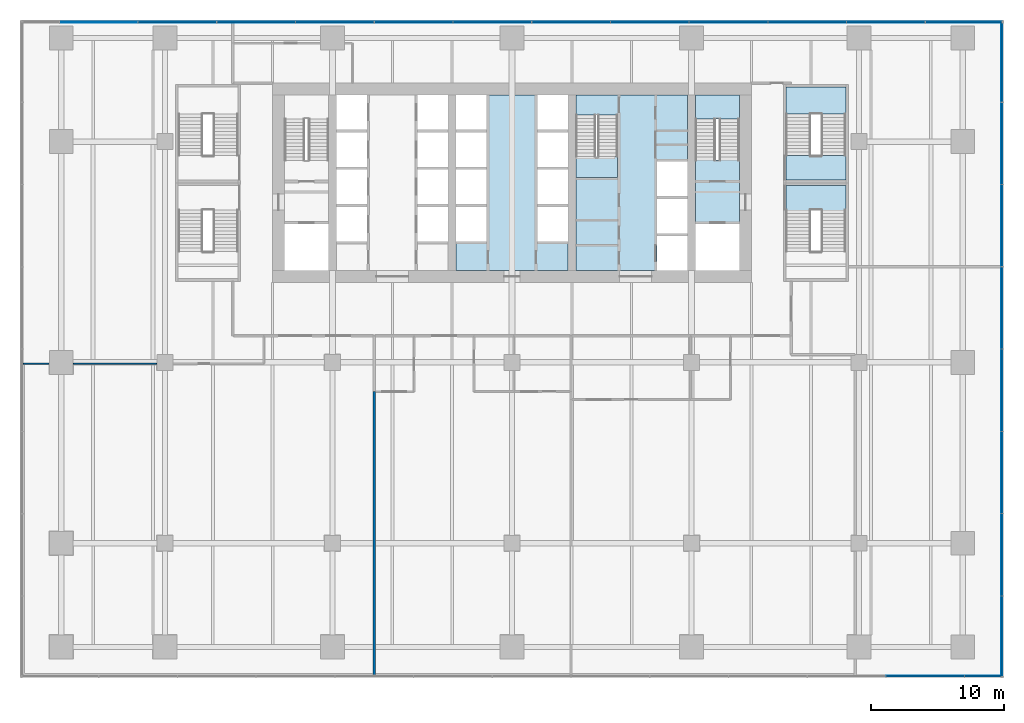
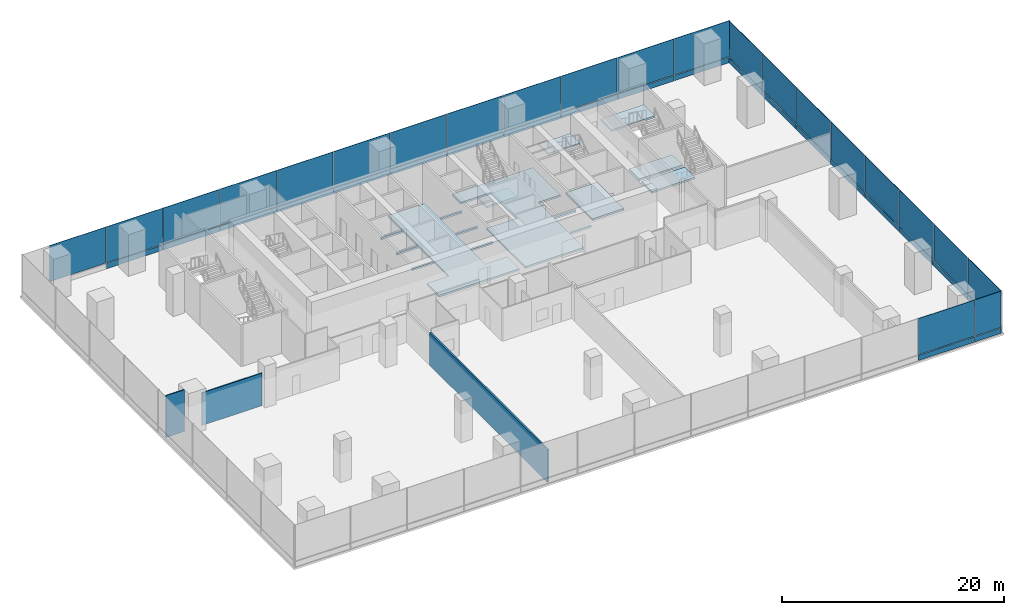
# One storey, part 18 of 28: 43 plates, 8 slabs, 3 walls, 6 elements without a shape of their own.
"""IFC4 building model written with IfcOpenShell, lengths in metres."""

from ifc_helpers import new_model, si_unit, direction, frame, frame_2d, origin, origin_2d, place, context, subcontext, project, spatial, polyline, rectangle, outline, extrude, material, layer, layer_set, type_object, element, aggregate, save


model = new_model("IFC4")

# Units and contexts
model_context = context("Model", 3, precision=1e-05, world=origin(), true_north=direction((0.0, 1.0)))
body_context = subcontext(model_context, "Body", "Model", "MODEL_VIEW")
ifc_project = project(units=[si_unit("LENGTHUNIT", "METRE"), si_unit("AREAUNIT", "SQUARE_METRE"), si_unit("VOLUMEUNIT", "CUBIC_METRE"), si_unit("PLANEANGLEUNIT", "RADIAN"), si_unit("MASSUNIT", "GRAM", prefix="KILO")], contexts=[model_context])

# Site, building, storey
site_placement = place(None, origin())
site = spatial("IfcSite", under=ifc_project, at=site_placement, CompositionType="ELEMENT")
building_placement = place(site_placement, origin())
building = spatial("IfcBuilding", under=site, at=building_placement, Name="Rattan Terrace Tower", CompositionType="ELEMENT")
storey_placement = place(building_placement, frame((0.0, 0.0, 17.39990234375)))
storey = spatial("IfcBuildingStorey", under=building, at=storey_placement, Name="L03", CompositionType="ELEMENT", Elevation=17.39990234375)

# Stair, slab
ifc_material_1 = material(Name="Concrete C40/50", Category="concrete")
stair_type_1 = type_object("IfcStairType", Name="Core exit stair 1500", PredefinedType="HALF_TURN_STAIR", material=ifc_material_1)
stair_1_placement = place(storey_placement, origin())
stair_1 = element("IfcStair", 1, at=stair_1_placement, inside=storey, type_object=stair_type_1, Name="L03 exit stair 2", PredefinedType="HALF_TURN_STAIR")
ifc_material_2 = material(Name="Concrete C40/50", Category="concrete")
ifc_layer_1 = layer(ifc_material_2, 0.199951171875)
ifc_layer_set_1 = layer_set([ifc_layer_1], Name="Core exit stair landing")
slab_type_1 = type_object("IfcSlabType", Name="Core exit stair landing", PredefinedType="LANDING", material=ifc_layer_set_1)
slab_1_placement = place(storey_placement, frame((0.0, 0.0, 2.2001953125)))
slab_1 = element("IfcSlab", 2, at=slab_1_placement, type_object=slab_type_1, Name="S2 landing 1", PredefinedType="LANDING", context=body_context, shape_type="SweptSolid", body=[
    extrude(outline(polyline([(17.10009765625, 4.820068359375), (17.10009765625, 6.60009765625), (13.800048828125, 6.60009765625), (13.800048828125, 4.820068359375), (17.10009765625, 4.820068359375)])), origin(), (0.0, 0.0, 1.0), 0.199951171875),
])
aggregate(stair_1, [slab_1])

stair_2_placement = place(storey_placement, origin())
stair_2 = element("IfcStair", 3, at=stair_2_placement, inside=storey, type_object=stair_type_1, Name="L03 exit stair 3", PredefinedType="HALF_TURN_STAIR")
slab_2_placement = place(storey_placement, frame((0.0, 0.0, 2.2001953125)))
slab_2 = element("IfcSlab", 4, at=slab_2_placement, type_object=slab_type_1, Name="S3 landing 1", PredefinedType="LANDING", context=body_context, shape_type="SweptSolid", body=[
    extrude(outline(polyline([(4.800048828125, 1.97998046875), (4.800048828125, 0.39990234375), (7.949951171875, 0.39990234375), (7.949951171875, 1.97998046875), (4.800048828125, 1.97998046875)])), origin(), (0.0, 0.0, 1.0), 0.199951171875),
])
aggregate(stair_2, [slab_2])

ifc_material_3 = material(Name="Concrete C40/50", Category="concrete")
stair_type_2 = type_object("IfcStairType", Name="Core exit stair 1850", PredefinedType="HALF_TURN_STAIR", material=ifc_material_3)
stair_3_placement = place(storey_placement, origin())
stair_3 = element("IfcStair", 5, at=stair_3_placement, inside=storey, type_object=stair_type_2, Name="L03 exit stair 7", PredefinedType="HALF_TURN_STAIR")
slab_3_placement = place(storey_placement, frame((0.0, 0.0, 2.2001953125)))
slab_3 = element("IfcSlab", 6, at=slab_3_placement, type_object=slab_type_1, Name="S7 landing 1", PredefinedType="LANDING", context=body_context, shape_type="SweptSolid", body=[
    extrude(outline(polyline([(25.10009765625, 5.169921875), (25.10009765625, 7.199951171875), (20.60009765625, 7.199951171875), (20.60009765625, 5.169921875), (25.10009765625, 5.169921875)])), origin(), (0.0, 0.0, 1.0), 0.199951171875),
])
aggregate(stair_3, [slab_3])

# Slabs
ifc_material_4 = material(Name="Concrete C35/45", Category="concrete")
ifc_layer_2 = layer(ifc_material_4, 0.199951171875)
ifc_layer_set_2 = layer_set([ifc_layer_2], Name="Frame composite floor slab 200")
slab_type_2 = type_object("IfcSlabType", Name="Frame composite floor slab 200", PredefinedType="FLOOR", material=ifc_layer_set_2)
slab_4_placement = place(storey_placement, frame((0.0, 0.0, -0.199951171875)))
element("IfcSlab", 7, at=slab_4_placement, inside=storey, type_object=slab_type_2, Name="Floor slab", PredefinedType="FLOOR", context=body_context, shape_type="SweptSolid", body=[
    extrude(outline(polyline([(-4.199951171875, -6.60009765625), (4.199951171875, -6.60009765625), (4.199951171875, -4.39990234375), (1.89990234375, -4.39990234375), (1.89990234375, -1.800048828125), (4.199951171875, -1.800048828125), (4.199951171875, -1.60009765625), (1.89990234375, -1.60009765625), (1.89990234375, 1.0), (4.199951171875, 1.0), (4.199951171875, 1.199951171875), (1.89990234375, 1.199951171875), (1.89990234375, 3.800048828125), (4.199951171875, 3.800048828125), (4.199951171875, 4.0), (1.89990234375, 4.0), (1.89990234375, 6.60009765625), (-1.89990234375, 6.60009765625), (-1.89990234375, 4.0), (-4.199951171875, 4.0), (-4.199951171875, 3.800048828125), (-1.89990234375, 3.800048828125), (-1.89990234375, 1.199951171875), (-4.199951171875, 1.199951171875), (-4.199951171875, 1.0), (-1.89990234375, 1.0), (-1.89990234375, -1.60009765625), (-4.199951171875, -1.60009765625), (-4.199951171875, -1.800048828125), (-1.89990234375, -1.800048828125), (-1.89990234375, -4.39990234375), (-4.199951171875, -4.39990234375), (-4.199951171875, -6.60009765625)])), origin(), (0.0, 0.0, 1.0), 0.199951171875),
])
slab_5_placement = place(storey_placement, frame((0.0, 0.0, -0.199951171875)))
element("IfcSlab", 8, at=slab_5_placement, inside=storey, type_object=slab_type_2, Name="Floor slab", PredefinedType="FLOOR", context=body_context, shape_type="SweptSolid", body=[
    extrude(outline(polyline([(4.800048828125, -6.60009765625), (10.89990234375, -6.60009765625), (10.89990234375, -4.0), (13.199951171875, -4.0), (13.199951171875, -3.800048828125), (10.89990234375, -3.800048828125), (10.89990234375, -1.199951171875), (13.199951171875, -1.199951171875), (13.199951171875, -1.0), (10.89990234375, -1.0), (10.89990234375, 1.60009765625), (13.199951171875, 1.60009765625), (13.199951171875, 6.60009765625), (4.800048828125, 6.60009765625), (4.800048828125, 5.090087890625), (7.949951171875, 5.090087890625), (7.949951171875, 0.39990234375), (4.800048828125, 0.39990234375), (4.800048828125, -6.60009765625)])), origin(), (0.0, 0.0, 1.0), 0.199951171875),
])
slab_6_placement = place(storey_placement, frame((0.0, 0.0, -0.199951171875)))
element("IfcSlab", 9, at=slab_6_placement, inside=storey, type_object=slab_type_2, Name="Floor slab", PredefinedType="FLOOR", context=body_context, shape_type="SweptSolid", body=[
    extrude(outline(polyline([(17.10009765625, -3.10009765625), (17.10009765625, 1.7099609375), (13.800048828125, 1.7099609375), (13.800048828125, -3.10009765625), (17.10009765625, -3.10009765625)])), origin(), (0.0, 0.0, 1.0), 0.199951171875),
])
slab_7_placement = place(storey_placement, frame((0.0, 0.0, -0.199951171875)))
element("IfcSlab", 10, at=slab_7_placement, inside=storey, type_object=slab_type_2, Name="Floor slab", PredefinedType="FLOOR", context=body_context, shape_type="SweptSolid", body=[
    extrude(outline(polyline([(20.60009765625, -0.199951171875), (20.60009765625, -2.06005859375), (25.10009765625, -2.06005859375), (25.10009765625, -0.199951171875), (20.60009765625, -0.199951171875)])), origin(), (0.0, 0.0, 1.0), 0.199951171875),
])
slab_8_placement = place(storey_placement, frame((0.0, 0.0, -0.199951171875)))
element("IfcSlab", 11, at=slab_8_placement, inside=storey, type_object=slab_type_2, Name="Floor slab", PredefinedType="FLOOR", context=body_context, shape_type="SweptSolid", body=[
    extrude(outline(polyline([(20.60009765625, 0.199951171875), (25.10009765625, 0.199951171875), (25.10009765625, 2.06005859375), (20.60009765625, 2.06005859375), (20.60009765625, 0.199951171875)])), origin(), (0.0, 0.0, 1.0), 0.199951171875),
])

# Curtain wall, plates
ifc_material_5 = material(Name="Aluminium and glass", Category="aluminium")
ifc_layer_3 = layer(ifc_material_5, 0.1201171875)
ifc_layer_set_3 = layer_set([ifc_layer_3], Name="Station Storefront Curtain Wall")
curtain_wall_type = type_object("IfcCurtainWallType", Name="Station Storefront Curtain Wall", PredefinedType="NOTDEFINED", material=ifc_layer_set_3)
curtain_wall_1_placement = place(storey_placement, origin())
curtain_wall_1 = element("IfcCurtainWall", 12, at=curtain_wall_1_placement, inside=storey, type_object=curtain_wall_type, Name="Storefront curtain wall L03-1", PredefinedType="NOTDEFINED")
ifc_material_6 = material(Name="Granite bulkhead panel", Category="masonry")
ifc_layer_4 = layer(ifc_material_6, 0.110107421875)
ifc_layer_set_4 = layer_set([ifc_layer_4], Name="Storefront CW Stone Bulkhead Panel")
plate_type_1 = type_object("IfcPlateType", Name="Storefront CW Stone Bulkhead Panel", PredefinedType="CURTAIN_PANEL", material=ifc_layer_set_4)
plate_1_placement = place(storey_placement, frame((36.830078125, -34.08837890625, 0.0), z_axis=(0.0, 0.0, 1.0), x_axis=(0.0, 1.0, 0.0)))
plate_1 = element("IfcPlate", 13, at=plate_1_placement, type_object=plate_type_1, Name="Panel cwl-L03-001.1.1", PredefinedType="CURTAIN_PANEL", context=body_context, shape_type="SweptSolid", body=[
    extrude(rectangle(XDim=6.0029296875, YDim=0.110107421875, at=origin_2d()), origin(), (0.0, 0.0, 1.0), 0.574951171875),
])
plate_2_placement = place(storey_placement, frame((36.830078125, -27.968017578125, 0.0), z_axis=(0.0, 0.0, 1.0), x_axis=(0.0, 1.0, 0.0)))
plate_2 = element("IfcPlate", 14, at=plate_2_placement, type_object=plate_type_1, Name="Panel cwl-L03-001.2.1", PredefinedType="CURTAIN_PANEL", context=body_context, shape_type="SweptSolid", body=[
    extrude(rectangle(XDim=6.137939453125, YDim=0.110107421875, at=origin_2d()), origin(), (0.0, 0.0, 1.0), 0.574951171875),
])
plate_3_placement = place(storey_placement, frame((36.830078125, -21.780029296875, 0.0), z_axis=(0.0, 0.0, 1.0), x_axis=(0.0, 1.0, 0.0)))
plate_3 = element("IfcPlate", 15, at=plate_3_placement, type_object=plate_type_1, Name="Panel cwl-L03-001.3.1", PredefinedType="CURTAIN_PANEL", context=body_context, shape_type="SweptSolid", body=[
    extrude(rectangle(XDim=6.137939453125, YDim=0.110107421875, at=origin_2d()), origin(), (0.0, 0.0, 1.0), 0.574951171875),
])
plate_4_placement = place(storey_placement, frame((36.830078125, -15.592041015625, 0.0), z_axis=(0.0, 0.0, 1.0), x_axis=(0.0, 1.0, 0.0)))
plate_4 = element("IfcPlate", 16, at=plate_4_placement, type_object=plate_type_1, Name="Panel cwl-L03-001.4.1", PredefinedType="CURTAIN_PANEL", context=body_context, shape_type="SweptSolid", body=[
    extrude(rectangle(XDim=6.137939453125, YDim=0.110107421875, at=origin_2d()), origin(), (0.0, 0.0, 1.0), 0.574951171875),
])
plate_5_placement = place(storey_placement, frame((36.830078125, -9.404052734375, 0.0), z_axis=(0.0, 0.0, 1.0), x_axis=(0.0, 1.0, 0.0)))
plate_5 = element("IfcPlate", 17, at=plate_5_placement, type_object=plate_type_1, Name="Panel cwl-L03-001.5.1", PredefinedType="CURTAIN_PANEL", context=body_context, shape_type="SweptSolid", body=[
    extrude(rectangle(XDim=6.137939453125, YDim=0.110107421875, at=origin_2d()), origin(), (0.0, 0.0, 1.0), 0.574951171875),
])
plate_6_placement = place(storey_placement, frame((36.830078125, -3.216064453125, 0.0), z_axis=(0.0, 0.0, 1.0), x_axis=(0.0, 1.0, 0.0)))
plate_6 = element("IfcPlate", 18, at=plate_6_placement, type_object=plate_type_1, Name="Panel cwl-L03-001.6.1", PredefinedType="CURTAIN_PANEL", context=body_context, shape_type="SweptSolid", body=[
    extrude(rectangle(XDim=6.137939453125, YDim=0.110107421875, at=origin_2d()), origin(), (0.0, 0.0, 1.0), 0.574951171875),
])
plate_7_placement = place(storey_placement, frame((36.830078125, 2.971923828125, 0.0), z_axis=(0.0, 0.0, 1.0), x_axis=(0.0, 1.0, 0.0)))
plate_7 = element("IfcPlate", 19, at=plate_7_placement, type_object=plate_type_1, Name="Panel cwl-L03-001.7.1", PredefinedType="CURTAIN_PANEL", context=body_context, shape_type="SweptSolid", body=[
    extrude(rectangle(XDim=6.137939453125, YDim=0.110107421875, at=origin_2d()), origin(), (0.0, 0.0, 1.0), 0.574951171875),
])
plate_8_placement = place(storey_placement, frame((36.830078125, 9.055419921875, 0.0), z_axis=(0.0, 0.0, 1.0), x_axis=(0.0, 1.0, 0.0)))
plate_8 = element("IfcPlate", 20, at=plate_8_placement, type_object=plate_type_1, Name="Panel cwl-L03-001.8.1", PredefinedType="CURTAIN_PANEL", context=body_context, shape_type="SweptSolid", body=[
    extrude(rectangle(XDim=5.928955078125, YDim=0.110107421875, at=origin_2d()), origin(), (0.0, 0.0, 1.0), 0.574951171875),
])

curtain_wall_2_placement = place(storey_placement, origin())
curtain_wall_2 = element("IfcCurtainWall", 21, at=curtain_wall_2_placement, inside=storey, type_object=curtain_wall_type, Name="Storefront curtain wall L03-2", PredefinedType="NOTDEFINED")
plate_9_placement = place(storey_placement, frame((33.972412109375, 12.080078125, 0.0), z_axis=(0.0, 0.0, 1.0), x_axis=(-1.0, 0.0, 0.0)))
plate_9 = element("IfcPlate", 22, at=plate_9_placement, type_object=plate_type_1, Name="Panel cwl-L03-002.1.1", PredefinedType="CURTAIN_PANEL", context=body_context, shape_type="SweptSolid", body=[
    extrude(rectangle(XDim=5.735107421875, YDim=0.110107421875, at=origin_2d()), origin(), (0.0, 0.0, 1.0), 0.574951171875),
])
plate_10_placement = place(storey_placement, frame((28.1201171875, 12.080078125, 0.0), z_axis=(0.0, 0.0, 1.0), x_axis=(-1.0, 0.0, 0.0)))
plate_10 = element("IfcPlate", 23, at=plate_10_placement, type_object=plate_type_1, Name="Panel cwl-L03-002.2.1", PredefinedType="CURTAIN_PANEL", context=body_context, shape_type="SweptSolid", body=[
    extrude(rectangle(XDim=5.8701171875, YDim=0.110107421875, at=origin_2d()), origin(), (0.0, 0.0, 1.0), 0.574951171875),
])
plate_11_placement = place(storey_placement, frame((22.199951171875, 12.080078125, 0.0), z_axis=(0.0, 0.0, 1.0), x_axis=(-1.0, 0.0, 0.0)))
plate_11 = element("IfcPlate", 24, at=plate_11_placement, type_object=plate_type_1, Name="Panel cwl-L03-002.3.1", PredefinedType="CURTAIN_PANEL", context=body_context, shape_type="SweptSolid", body=[
    extrude(rectangle(XDim=5.8701171875, YDim=0.110107421875, at=origin_2d()), origin(), (0.0, 0.0, 1.0), 0.574951171875),
])
plate_12_placement = place(storey_placement, frame((16.280029296875, 12.080078125, 0.0), z_axis=(0.0, 0.0, 1.0), x_axis=(-1.0, 0.0, 0.0)))
plate_12 = element("IfcPlate", 25, at=plate_12_placement, type_object=plate_type_1, Name="Panel cwl-L03-002.4.1", PredefinedType="CURTAIN_PANEL", context=body_context, shape_type="SweptSolid", body=[
    extrude(rectangle(XDim=5.8701171875, YDim=0.110107421875, at=origin_2d()), origin(), (0.0, 0.0, 1.0), 0.574951171875),
])
plate_13_placement = place(storey_placement, frame((10.360107421875, 12.080078125, 0.0), z_axis=(0.0, 0.0, 1.0), x_axis=(-1.0, 0.0, 0.0)))
plate_13 = element("IfcPlate", 26, at=plate_13_placement, type_object=plate_type_1, Name="Panel cwl-L03-002.5.1", PredefinedType="CURTAIN_PANEL", context=body_context, shape_type="SweptSolid", body=[
    extrude(rectangle(XDim=5.8701171875, YDim=0.110107421875, at=origin_2d()), origin(), (0.0, 0.0, 1.0), 0.574951171875),
])
plate_14_placement = place(storey_placement, frame((4.43994140625, 12.080078125, 0.0), z_axis=(0.0, 0.0, 1.0), x_axis=(-1.0, 0.0, 0.0)))
plate_14 = element("IfcPlate", 27, at=plate_14_placement, type_object=plate_type_1, Name="Panel cwl-L03-002.6.1", PredefinedType="CURTAIN_PANEL", context=body_context, shape_type="SweptSolid", body=[
    extrude(rectangle(XDim=5.8701171875, YDim=0.110107421875, at=origin_2d()), origin(), (0.0, 0.0, 1.0), 0.574951171875),
])
plate_15_placement = place(storey_placement, frame((-1.47998046875, 12.080078125, 0.0), z_axis=(0.0, 0.0, 1.0), x_axis=(-1.0, 0.0, 0.0)))
plate_15 = element("IfcPlate", 28, at=plate_15_placement, type_object=plate_type_1, Name="Panel cwl-L03-002.7.1", PredefinedType="CURTAIN_PANEL", context=body_context, shape_type="SweptSolid", body=[
    extrude(rectangle(XDim=5.8701171875, YDim=0.110107421875, at=origin_2d()), origin(), (0.0, 0.0, 1.0), 0.574951171875),
])
plate_16_placement = place(storey_placement, frame((-7.39990234375, 12.080078125, 0.0), z_axis=(0.0, 0.0, 1.0), x_axis=(-1.0, 0.0, 0.0)))
plate_16 = element("IfcPlate", 29, at=plate_16_placement, type_object=plate_type_1, Name="Panel cwl-L03-002.8.1", PredefinedType="CURTAIN_PANEL", context=body_context, shape_type="SweptSolid", body=[
    extrude(rectangle(XDim=5.8701171875, YDim=0.110107421875, at=origin_2d()), origin(), (0.0, 0.0, 1.0), 0.574951171875),
])
plate_17_placement = place(storey_placement, frame((-13.320068359375, 12.080078125, 0.0), z_axis=(0.0, 0.0, 1.0), x_axis=(-1.0, 0.0, 0.0)))
plate_17 = element("IfcPlate", 30, at=plate_17_placement, type_object=plate_type_1, Name="Panel cwl-L03-002.9.1", PredefinedType="CURTAIN_PANEL", context=body_context, shape_type="SweptSolid", body=[
    extrude(rectangle(XDim=5.8701171875, YDim=0.110107421875, at=origin_2d()), origin(), (0.0, 0.0, 1.0), 0.574951171875),
])
plate_18_placement = place(storey_placement, frame((-19.239990234375, 12.080078125, 0.0), z_axis=(0.0, 0.0, 1.0), x_axis=(-1.0, 0.0, 0.0)))
plate_18 = element("IfcPlate", 31, at=plate_18_placement, type_object=plate_type_1, Name="Panel cwl-L03-002.10.1", PredefinedType="CURTAIN_PANEL", context=body_context, shape_type="SweptSolid", body=[
    extrude(rectangle(XDim=5.8701171875, YDim=0.110107421875, at=origin_2d()), origin(), (0.0, 0.0, 1.0), 0.574951171875),
])
plate_19_placement = place(storey_placement, frame((-25.159912109375, 12.080078125, 0.0), z_axis=(0.0, 0.0, 1.0), x_axis=(-1.0, 0.0, 0.0)))
plate_19 = element("IfcPlate", 32, at=plate_19_placement, type_object=plate_type_1, Name="Panel cwl-L03-002.11.1", PredefinedType="CURTAIN_PANEL", context=body_context, shape_type="SweptSolid", body=[
    extrude(rectangle(XDim=5.8701171875, YDim=0.110107421875, at=origin_2d()), origin(), (0.0, 0.0, 1.0), 0.574951171875),
])

curtain_wall_3_placement = place(storey_placement, origin())
curtain_wall_3 = element("IfcCurtainWall", 33, at=curtain_wall_3_placement, inside=storey, type_object=curtain_wall_type, Name="Storefront curtain wall L03-4", PredefinedType="NOTDEFINED")
plate_20_placement = place(storey_placement, frame((31.080078125, -37.080078125, 0.0), z_axis=(0.0, 0.0, 1.0), x_axis=(1.0, 0.0, 0.0)))
plate_20 = element("IfcPlate", 34, at=plate_20_placement, type_object=plate_type_1, Name="Panel cwl-L03-004.12.1", PredefinedType="CURTAIN_PANEL", context=body_context, shape_type="SweptSolid", body=[
    extrude(rectangle(XDim=5.8701171875, YDim=0.110107421875, at=origin_2d()), origin(), (0.0, 0.0, 1.0), 0.574951171875),
])
plate_21_placement = place(storey_placement, frame((35.41748046875, -37.080078125, 0.0), z_axis=(0.0, 0.0, 1.0), x_axis=(1.0, 0.0, 0.0)))
plate_21 = element("IfcPlate", 35, at=plate_21_placement, type_object=plate_type_1, Name="Panel cwl-L03-004.13.1", PredefinedType="CURTAIN_PANEL", context=body_context, shape_type="SweptSolid", body=[
    extrude(rectangle(XDim=2.705078125, YDim=0.110107421875, at=origin_2d()), origin(), (0.0, 0.0, 1.0), 0.574951171875),
])

# Plate
ifc_material_7 = material(Name="Clear toughened glass", Category="glass")
ifc_layer_5 = layer(ifc_material_7, 0.0439453125)
ifc_layer_set_5 = layer_set([ifc_layer_5], Name="Storefront CW Vision Panel")
plate_type_2 = type_object("IfcPlateType", Name="Storefront CW Vision Panel", PredefinedType="CURTAIN_PANEL", material=ifc_layer_set_5)
plate_22_placement = place(storey_placement, frame((36.830078125, -34.08837890625, 0.625), z_axis=(0.0, 0.0, 1.0), x_axis=(0.0, 1.0, 0.0)))
plate_22 = element("IfcPlate", 36, at=plate_22_placement, type_object=plate_type_2, Name="Panel cwl-L03-001.1.2", PredefinedType="CURTAIN_PANEL", context=body_context, shape_type="SweptSolid", body=[
    extrude(rectangle(XDim=6.0029296875, YDim=0.0439453125, at=origin_2d()), origin(), (0.0, 0.0, 1.0), 3.97509765625),
])

plate_23_placement = place(storey_placement, frame((36.830078125, -27.968017578125, 0.625), z_axis=(0.0, 0.0, 1.0), x_axis=(0.0, 1.0, 0.0)))
plate_23 = element("IfcPlate", 37, at=plate_23_placement, type_object=plate_type_2, Name="Panel cwl-L03-001.2.2", PredefinedType="CURTAIN_PANEL", context=body_context, shape_type="SweptSolid", body=[
    extrude(rectangle(XDim=6.137939453125, YDim=0.0439453125, at=origin_2d()), origin(), (0.0, 0.0, 1.0), 3.97509765625),
])

plate_24_placement = place(storey_placement, frame((36.830078125, -21.780029296875, 0.625), z_axis=(0.0, 0.0, 1.0), x_axis=(0.0, 1.0, 0.0)))
plate_24 = element("IfcPlate", 38, at=plate_24_placement, type_object=plate_type_2, Name="Panel cwl-L03-001.3.2", PredefinedType="CURTAIN_PANEL", context=body_context, shape_type="SweptSolid", body=[
    extrude(rectangle(XDim=6.137939453125, YDim=0.0439453125, at=origin_2d()), origin(), (0.0, 0.0, 1.0), 3.97509765625),
])

plate_25_placement = place(storey_placement, frame((36.830078125, -15.592041015625, 0.625), z_axis=(0.0, 0.0, 1.0), x_axis=(0.0, 1.0, 0.0)))
plate_25 = element("IfcPlate", 39, at=plate_25_placement, type_object=plate_type_2, Name="Panel cwl-L03-001.4.2", PredefinedType="CURTAIN_PANEL", context=body_context, shape_type="SweptSolid", body=[
    extrude(rectangle(XDim=6.137939453125, YDim=0.0439453125, at=origin_2d()), origin(), (0.0, 0.0, 1.0), 3.97509765625),
])

plate_26_placement = place(storey_placement, frame((36.830078125, -9.404052734375, 0.625), z_axis=(0.0, 0.0, 1.0), x_axis=(0.0, 1.0, 0.0)))
plate_26 = element("IfcPlate", 40, at=plate_26_placement, type_object=plate_type_2, Name="Panel cwl-L03-001.5.2", PredefinedType="CURTAIN_PANEL", context=body_context, shape_type="SweptSolid", body=[
    extrude(rectangle(XDim=6.137939453125, YDim=0.0439453125, at=origin_2d()), origin(), (0.0, 0.0, 1.0), 3.97509765625),
])

plate_27_placement = place(storey_placement, frame((36.830078125, -3.216064453125, 0.625), z_axis=(0.0, 0.0, 1.0), x_axis=(0.0, 1.0, 0.0)))
plate_27 = element("IfcPlate", 41, at=plate_27_placement, type_object=plate_type_2, Name="Panel cwl-L03-001.6.2", PredefinedType="CURTAIN_PANEL", context=body_context, shape_type="SweptSolid", body=[
    extrude(rectangle(XDim=6.137939453125, YDim=0.0439453125, at=origin_2d()), origin(), (0.0, 0.0, 1.0), 3.97509765625),
])

plate_28_placement = place(storey_placement, frame((36.830078125, 2.971923828125, 0.625), z_axis=(0.0, 0.0, 1.0), x_axis=(0.0, 1.0, 0.0)))
plate_28 = element("IfcPlate", 42, at=plate_28_placement, type_object=plate_type_2, Name="Panel cwl-L03-001.7.2", PredefinedType="CURTAIN_PANEL", context=body_context, shape_type="SweptSolid", body=[
    extrude(rectangle(XDim=6.137939453125, YDim=0.0439453125, at=origin_2d()), origin(), (0.0, 0.0, 1.0), 3.97509765625),
])

plate_29_placement = place(storey_placement, frame((36.830078125, 9.055419921875, 0.625), z_axis=(0.0, 0.0, 1.0), x_axis=(0.0, 1.0, 0.0)))
plate_29 = element("IfcPlate", 43, at=plate_29_placement, type_object=plate_type_2, Name="Panel cwl-L03-001.8.2", PredefinedType="CURTAIN_PANEL", context=body_context, shape_type="SweptSolid", body=[
    extrude(rectangle(XDim=5.928955078125, YDim=0.0439453125, at=origin_2d()), origin(), (0.0, 0.0, 1.0), 3.97509765625),
])

aggregate(curtain_wall_1, [plate_1, plate_22, plate_2, plate_23, plate_3, plate_24, plate_4, plate_25, plate_5, plate_26, plate_6, plate_27, plate_7, plate_28, plate_8, plate_29])

plate_30_placement = place(storey_placement, frame((33.972412109375, 12.080078125, 0.625), z_axis=(0.0, 0.0, 1.0), x_axis=(-1.0, 0.0, 0.0)))
plate_30 = element("IfcPlate", 44, at=plate_30_placement, type_object=plate_type_2, Name="Panel cwl-L03-002.1.2", PredefinedType="CURTAIN_PANEL", context=body_context, shape_type="SweptSolid", body=[
    extrude(rectangle(XDim=5.735107421875, YDim=0.0439453125, at=origin_2d()), origin(), (0.0, 0.0, 1.0), 3.97509765625),
])

plate_31_placement = place(storey_placement, frame((28.1201171875, 12.080078125, 0.625), z_axis=(0.0, 0.0, 1.0), x_axis=(-1.0, 0.0, 0.0)))
plate_31 = element("IfcPlate", 45, at=plate_31_placement, type_object=plate_type_2, Name="Panel cwl-L03-002.2.2", PredefinedType="CURTAIN_PANEL", context=body_context, shape_type="SweptSolid", body=[
    extrude(rectangle(XDim=5.8701171875, YDim=0.0439453125, at=origin_2d()), origin(), (0.0, 0.0, 1.0), 3.97509765625),
])

plate_32_placement = place(storey_placement, frame((22.199951171875, 12.080078125, 0.625), z_axis=(0.0, 0.0, 1.0), x_axis=(-1.0, 0.0, 0.0)))
plate_32 = element("IfcPlate", 46, at=plate_32_placement, type_object=plate_type_2, Name="Panel cwl-L03-002.3.2", PredefinedType="CURTAIN_PANEL", context=body_context, shape_type="SweptSolid", body=[
    extrude(rectangle(XDim=5.8701171875, YDim=0.0439453125, at=origin_2d()), origin(), (0.0, 0.0, 1.0), 3.97509765625),
])

plate_33_placement = place(storey_placement, frame((16.280029296875, 12.080078125, 0.625), z_axis=(0.0, 0.0, 1.0), x_axis=(-1.0, 0.0, 0.0)))
plate_33 = element("IfcPlate", 47, at=plate_33_placement, type_object=plate_type_2, Name="Panel cwl-L03-002.4.2", PredefinedType="CURTAIN_PANEL", context=body_context, shape_type="SweptSolid", body=[
    extrude(rectangle(XDim=5.8701171875, YDim=0.0439453125, at=origin_2d()), origin(), (0.0, 0.0, 1.0), 3.97509765625),
])

plate_34_placement = place(storey_placement, frame((10.360107421875, 12.080078125, 0.625), z_axis=(0.0, 0.0, 1.0), x_axis=(-1.0, 0.0, 0.0)))
plate_34 = element("IfcPlate", 48, at=plate_34_placement, type_object=plate_type_2, Name="Panel cwl-L03-002.5.2", PredefinedType="CURTAIN_PANEL", context=body_context, shape_type="SweptSolid", body=[
    extrude(rectangle(XDim=5.8701171875, YDim=0.0439453125, at=origin_2d()), origin(), (0.0, 0.0, 1.0), 3.97509765625),
])

plate_35_placement = place(storey_placement, frame((4.43994140625, 12.080078125, 0.625), z_axis=(0.0, 0.0, 1.0), x_axis=(-1.0, 0.0, 0.0)))
plate_35 = element("IfcPlate", 49, at=plate_35_placement, type_object=plate_type_2, Name="Panel cwl-L03-002.6.2", PredefinedType="CURTAIN_PANEL", context=body_context, shape_type="SweptSolid", body=[
    extrude(rectangle(XDim=5.8701171875, YDim=0.0439453125, at=origin_2d()), origin(), (0.0, 0.0, 1.0), 3.97509765625),
])

plate_36_placement = place(storey_placement, frame((-1.47998046875, 12.080078125, 0.625), z_axis=(0.0, 0.0, 1.0), x_axis=(-1.0, 0.0, 0.0)))
plate_36 = element("IfcPlate", 50, at=plate_36_placement, type_object=plate_type_2, Name="Panel cwl-L03-002.7.2", PredefinedType="CURTAIN_PANEL", context=body_context, shape_type="SweptSolid", body=[
    extrude(rectangle(XDim=5.8701171875, YDim=0.0439453125, at=origin_2d()), origin(), (0.0, 0.0, 1.0), 3.97509765625),
])

plate_37_placement = place(storey_placement, frame((-7.39990234375, 12.080078125, 0.625), z_axis=(0.0, 0.0, 1.0), x_axis=(-1.0, 0.0, 0.0)))
plate_37 = element("IfcPlate", 51, at=plate_37_placement, type_object=plate_type_2, Name="Panel cwl-L03-002.8.2", PredefinedType="CURTAIN_PANEL", context=body_context, shape_type="SweptSolid", body=[
    extrude(rectangle(XDim=5.8701171875, YDim=0.0439453125, at=origin_2d()), origin(), (0.0, 0.0, 1.0), 3.97509765625),
])

plate_38_placement = place(storey_placement, frame((-13.320068359375, 12.080078125, 0.625), z_axis=(0.0, 0.0, 1.0), x_axis=(-1.0, 0.0, 0.0)))
plate_38 = element("IfcPlate", 52, at=plate_38_placement, type_object=plate_type_2, Name="Panel cwl-L03-002.9.2", PredefinedType="CURTAIN_PANEL", context=body_context, shape_type="SweptSolid", body=[
    extrude(rectangle(XDim=5.8701171875, YDim=0.0439453125, at=origin_2d()), origin(), (0.0, 0.0, 1.0), 3.97509765625),
])

plate_39_placement = place(storey_placement, frame((-19.239990234375, 12.080078125, 0.625), z_axis=(0.0, 0.0, 1.0), x_axis=(-1.0, 0.0, 0.0)))
plate_39 = element("IfcPlate", 53, at=plate_39_placement, type_object=plate_type_2, Name="Panel cwl-L03-002.10.2", PredefinedType="CURTAIN_PANEL", context=body_context, shape_type="SweptSolid", body=[
    extrude(rectangle(XDim=5.8701171875, YDim=0.0439453125, at=origin_2d()), origin(), (0.0, 0.0, 1.0), 3.97509765625),
])

plate_40_placement = place(storey_placement, frame((-25.159912109375, 12.080078125, 0.625), z_axis=(0.0, 0.0, 1.0), x_axis=(-1.0, 0.0, 0.0)))
plate_40 = element("IfcPlate", 54, at=plate_40_placement, type_object=plate_type_2, Name="Panel cwl-L03-002.11.2", PredefinedType="CURTAIN_PANEL", context=body_context, shape_type="SweptSolid", body=[
    extrude(rectangle(XDim=5.8701171875, YDim=0.0439453125, at=origin_2d()), origin(), (0.0, 0.0, 1.0), 3.97509765625),
])

plate_41_placement = place(storey_placement, frame((-31.080078125, 12.080078125, 0.625), z_axis=(0.0, 0.0, 1.0), x_axis=(-1.0, 0.0, 0.0)))
plate_41 = element("IfcPlate", 55, at=plate_41_placement, type_object=plate_type_2, Name="Panel cwl-L03-002.12.2", PredefinedType="CURTAIN_PANEL", context=body_context, shape_type="SweptSolid", body=[
    extrude(rectangle(XDim=5.8701171875, YDim=0.0439453125, at=origin_2d()), origin(), (0.0, 0.0, 1.0), 3.97509765625),
])

aggregate(curtain_wall_2, [plate_9, plate_30, plate_10, plate_31, plate_11, plate_32, plate_12, plate_33, plate_13, plate_34, plate_14, plate_35, plate_15, plate_36, plate_16, plate_37, plate_17, plate_38, plate_18, plate_39, plate_19, plate_40, plate_41])

plate_42_placement = place(storey_placement, frame((31.080078125, -37.080078125, 0.625), z_axis=(0.0, 0.0, 1.0), x_axis=(1.0, 0.0, 0.0)))
plate_42 = element("IfcPlate", 56, at=plate_42_placement, type_object=plate_type_2, Name="Panel cwl-L03-004.12.2", PredefinedType="CURTAIN_PANEL", context=body_context, shape_type="SweptSolid", body=[
    extrude(rectangle(XDim=5.8701171875, YDim=0.0439453125, at=origin_2d()), origin(), (0.0, 0.0, 1.0), 3.97509765625),
])

plate_43_placement = place(storey_placement, frame((35.41748046875, -37.080078125, 0.625), z_axis=(0.0, 0.0, 1.0), x_axis=(1.0, 0.0, 0.0)))
plate_43 = element("IfcPlate", 57, at=plate_43_placement, type_object=plate_type_2, Name="Panel cwl-L03-004.13.2", PredefinedType="CURTAIN_PANEL", context=body_context, shape_type="SweptSolid", body=[
    extrude(rectangle(XDim=2.705078125, YDim=0.0439453125, at=origin_2d()), origin(), (0.0, 0.0, 1.0), 3.97509765625),
])

aggregate(curtain_wall_3, [plate_20, plate_42, plate_21, plate_43])

# Walls
ifc_material_8 = material(Name="Double steel stud acoustic partition, gypsum board, mineral wool, fire rated", Category="steel")
ifc_layer_6 = layer(ifc_material_8, 0.179931640625)
ifc_layer_set_6 = layer_set([ifc_layer_6], Name="Floors Acoustic Party Wall 180")
wall_type_1 = type_object("IfcWallType", Name="Floors Acoustic Party Wall 180", PredefinedType="PARTITIONING", material=ifc_layer_set_6)
wall_1_placement = place(storey_placement, frame((-10.360107421875, -15.679931640625, 0.0), z_axis=(0.0, 0.0, 1.0), x_axis=(0.0, -1.0, 0.0)))
element("IfcWall", 58, at=wall_1_placement, inside=storey, type_object=wall_type_1, Name="pt-L03-018", PredefinedType="PARTITIONING", context=body_context, shape_type="SweptSolid", body=[
    extrude(rectangle(XDim=21.31005859375, YDim=0.179931640625, at=frame_2d((10.655029296875, 0.0))), origin(), (0.0, 0.0, 1.0), 3.60009765625),
])
ifc_material_9 = material(Name="Gypsum board partition on steel studs", Category="steel")
ifc_layer_7 = layer(ifc_material_9, 0.10009765625)
ifc_layer_set_7 = layer_set([ifc_layer_7], Name="Floors Partition 100")
wall_type_2 = type_object("IfcWallType", Name="Floors Partition 100", PredefinedType="PARTITIONING", material=ifc_layer_set_7)
wall_2_placement = place(storey_placement, frame((-36.739990234375, -13.60595703125, 0.0), z_axis=(0.0, 0.0, 1.0), x_axis=(1.0, 0.0, 0.0)))
element("IfcWall", 59, at=wall_2_placement, inside=storey, type_object=wall_type_2, Name="pt-L03-014", PredefinedType="PARTITIONING", context=body_context, shape_type="SweptSolid", body=[
    extrude(rectangle(XDim=1.919921875, YDim=0.10009765625, at=frame_2d((0.9599609375, 0.0))), origin(), (0.0, 0.0, 1.0), 4.60009765625),
])
wall_3_placement = place(storey_placement, frame((-32.97998046875, -13.60595703125, 0.0), z_axis=(0.0, 0.0, 1.0), x_axis=(1.0, 0.0, 0.0)))
element("IfcWall", 60, at=wall_3_placement, inside=storey, type_object=wall_type_2, Name="pt-L03-015", PredefinedType="PARTITIONING", context=body_context, shape_type="SweptSolid", body=[
    extrude(rectangle(XDim=6.260009765625, YDim=0.10009765625, at=frame_2d((3.1298828125, 0.0))), origin(), (0.0, 0.0, 1.0), 3.60009765625),
])

save(model, "model.ifc")
